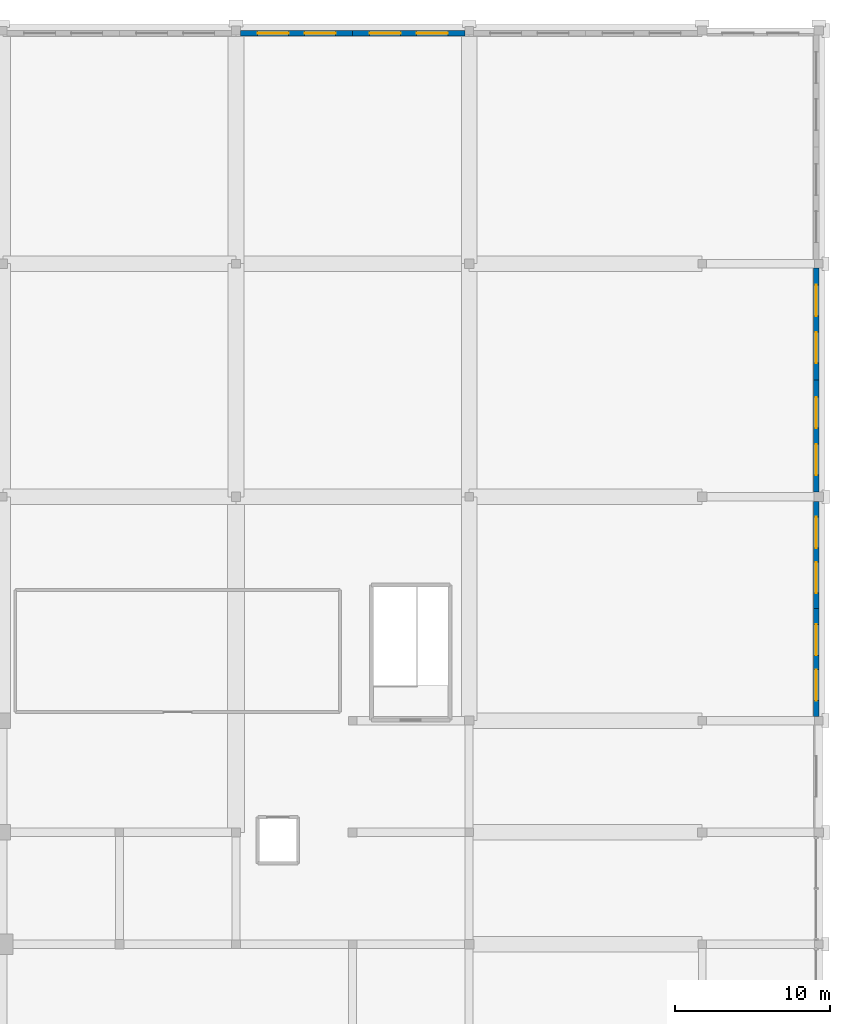
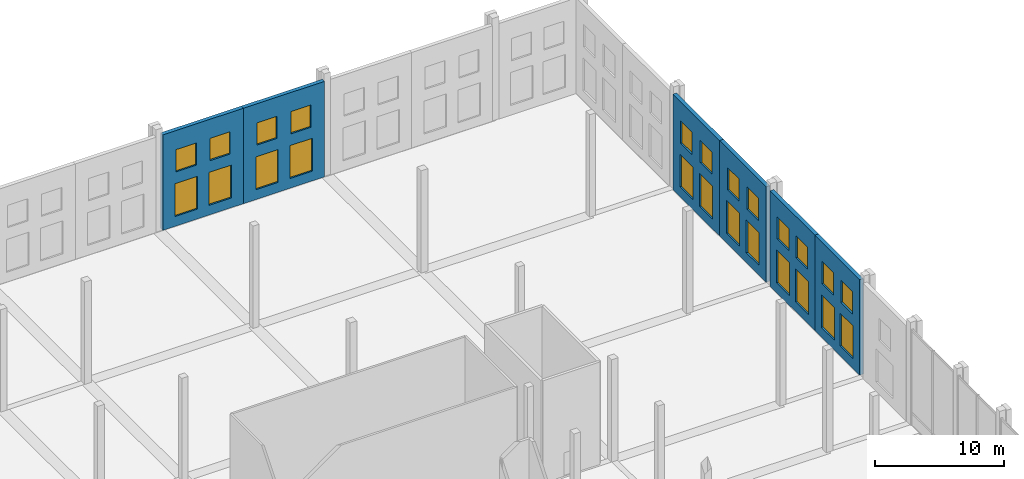
# One storey, part 72 of 80: 24 windows, 6 walls, 24 openings.
"""IFC4 building model written with IfcOpenShell, lengths in metres."""

from ifc_helpers import new_model, si_unit, direction, frame, frame_2d, origin, place, context, subcontext, project, spatial, rectangle, extrude, material, layer, layer_set, type_object, element, fill, save


model = new_model("IFC4")

# Units and contexts
model_context = context("Model", 3, precision=1e-05, world=origin(), true_north=direction((0.0, 1.0)))
body_context = subcontext(model_context, "Body", "Model", "MODEL_VIEW")
ifc_project = project(units=[si_unit("LENGTHUNIT", "METRE"), si_unit("AREAUNIT", "SQUARE_METRE"), si_unit("VOLUMEUNIT", "CUBIC_METRE"), si_unit("PLANEANGLEUNIT", "RADIAN"), si_unit("MASSUNIT", "GRAM", prefix="KILO")], contexts=[model_context])

# Site, building, storey
site_placement = place(None, origin())
site = spatial("IfcSite", under=ifc_project, at=site_placement, CompositionType="ELEMENT")
building_placement = place(site_placement, origin())
building = spatial("IfcBuilding", under=site, at=building_placement, Name="Akrevak Sports Hall", CompositionType="ELEMENT")
storey_placement = place(building_placement, frame((0.0, 0.0, 14.0)))
storey = spatial("IfcBuildingStorey", under=building, at=storey_placement, Name="L03", CompositionType="ELEMENT", Elevation=14.0)

# Wall, openings, windows
ifc_material_1 = material(Name="Limestone Ashlar", Category="stone")
ifc_layer_1 = layer(ifc_material_1, 0.070068359375, Name="Limestone Ashlar")
ifc_material_2 = material(Name="Mineral Wool Thermal Insulation", Category="insulation")
ifc_layer_2 = layer(ifc_material_2, 0.10009765625, Name="Mineral Wool Thermal Insulation")
ifc_material_3 = material(Name="Concrete C40/50", Category="concrete")
ifc_layer_3 = layer(ifc_material_3, 0.169921875, Name="Concrete C40/50")
ifc_layer_set = layer_set([ifc_layer_1, ifc_layer_2, ifc_layer_3], Name="Limestone Ashlar / Mineral Wool Thermal Insulation / Concrete C40/50")
wall_type = type_object("IfcWallType", Name="ARC-WL-EXT-340", PredefinedType="SOLIDWALL", material=ifc_layer_set)
wall_1_placement = place(storey_placement, frame((138.0, 113.830078125, 0.0), z_axis=(0.0, 0.0, 1.0), x_axis=(-1.0, 0.0, 0.0)))
wall_1 = element("IfcWall", 1, at=wall_1_placement, inside=storey, type_object=wall_type, Name="Exterior Limestone Wall L03-N18", PredefinedType="SOLIDWALL", context=body_context, shape_type="SweptSolid", body=[
    extrude(rectangle(XDim=7.199951171875, YDim=0.340087890625, at=frame_2d((3.60009765625, 0.0))), origin(), (0.0, 0.0, 1.0), 9.0),
])
opening_1_placement = place(wall_1_placement, frame((4.112060546875, 0.0, 0.919921875)))
opening_1 = element("IfcOpeningElement", 2, at=opening_1_placement, cuts=wall_1, Name="Opening WN-41", PredefinedType="OPENING", context=body_context, shape_type="SweptSolid", body=[
    extrude(rectangle(XDim=2.0, YDim=3.10009765625, at=frame_2d((1.0, 1.550048828125))), frame((0.0, 0.18212890625, 0.0), z_axis=(0.0, -1.0, 0.0), x_axis=(1.0, 0.0, 0.0)), (0.0, 0.0, 1.0), 0.364013671875),
])
opening_2_placement = place(wall_1_placement, frame((4.2119140625, 0.0, 5.10009765625)))
opening_2 = element("IfcOpeningElement", 3, at=opening_2_placement, cuts=wall_1, Name="Opening WN-37", PredefinedType="OPENING", context=body_context, shape_type="SweptSolid", body=[
    extrude(rectangle(XDim=1.800048828125, YDim=2.10009765625, at=frame_2d((0.89990234375, 1.050048828125))), frame((0.0, 0.18212890625, 0.0), z_axis=(0.0, -1.0, 0.0), x_axis=(1.0, 0.0, 0.0)), (0.0, 0.0, 1.0), 0.364013671875),
])
opening_3_placement = place(wall_1_placement, frame((1.087890625, 0.0, 0.919921875)))
opening_3 = element("IfcOpeningElement", 4, at=opening_3_placement, cuts=wall_1, Name="Opening WN-41", PredefinedType="OPENING", context=body_context, shape_type="SweptSolid", body=[
    extrude(rectangle(XDim=2.0, YDim=3.10009765625, at=frame_2d((1.0, 1.550048828125))), frame((0.0, 0.18212890625, 0.0), z_axis=(0.0, -1.0, 0.0), x_axis=(1.0, 0.0, 0.0)), (0.0, 0.0, 1.0), 0.364013671875),
])
opening_4_placement = place(wall_1_placement, frame((1.18798828125, 0.0, 5.10009765625)))
opening_4 = element("IfcOpeningElement", 5, at=opening_4_placement, cuts=wall_1, Name="Opening WN-37", PredefinedType="OPENING", context=body_context, shape_type="SweptSolid", body=[
    extrude(rectangle(XDim=1.800048828125, YDim=2.10009765625, at=frame_2d((0.89990234375, 1.050048828125))), frame((0.0, 0.18212890625, 0.0), z_axis=(0.0, -1.0, 0.0), x_axis=(1.0, 0.0, 0.0)), (0.0, 0.0, 1.0), 0.364013671875),
])
ifc_material_4 = material(Name="Thermally Broken Bronze Frame & Double Low-E Glass", Category="glass")
window_type_1 = type_object("IfcWindowType", Name="ARC-WIN-SZ-1800x2100", PartitioningType="SINGLE_PANEL", PredefinedType="WINDOW", material=ifc_material_4)
window_1_placement = place(opening_2_placement, origin())
window_1 = element("IfcWindow", 6, at=window_1_placement, inside=storey, type_object=window_type_1, Name="Beaux-Arts Attic Clerestory Window WIN-L03-N18-1U", OverallHeight=2.10009765625, OverallWidth=1.800048828125, PartitioningType="SINGLE_PANEL", PredefinedType="WINDOW", context=body_context, shape_type="SweptSolid", body=[
    extrude(rectangle(XDim=1.800048828125, YDim=2.10009765625, at=frame_2d((0.89990234375, 1.050048828125))), frame((0.0, 0.030029296875, 0.0), z_axis=(0.0, -1.0, 0.0), x_axis=(1.0, 0.0, 0.0)), (0.0, 0.0, 1.0), 0.06005859375),
])
fill(opening_2, window_1)
window_2_placement = place(opening_4_placement, origin())
window_2 = element("IfcWindow", 7, at=window_2_placement, inside=storey, type_object=window_type_1, Name="Beaux-Arts Attic Clerestory Window WIN-L03-N18-2U", OverallHeight=2.10009765625, OverallWidth=1.800048828125, PartitioningType="SINGLE_PANEL", PredefinedType="WINDOW", context=body_context, shape_type="SweptSolid", body=[
    extrude(rectangle(XDim=1.800048828125, YDim=2.10009765625, at=frame_2d((0.89990234375, 1.050048828125))), frame((0.0, 0.030029296875, 0.0), z_axis=(0.0, -1.0, 0.0), x_axis=(1.0, 0.0, 0.0)), (0.0, 0.0, 1.0), 0.06005859375),
])
fill(opening_4, window_2)
window_type_2 = type_object("IfcWindowType", Name="ARC-WIN-SZ-2000x3100", PartitioningType="SINGLE_PANEL", PredefinedType="WINDOW", material=ifc_material_4)
window_3_placement = place(opening_1_placement, origin())
window_3 = element("IfcWindow", 8, at=window_3_placement, inside=storey, type_object=window_type_2, Name="Beaux-Arts Facade Window WIN-L03-N18-1", OverallHeight=3.10009765625, OverallWidth=2.0, PartitioningType="SINGLE_PANEL", PredefinedType="WINDOW", context=body_context, shape_type="SweptSolid", body=[
    extrude(rectangle(XDim=2.0, YDim=3.10009765625, at=frame_2d((1.0, 1.550048828125))), frame((0.0, 0.030029296875, 0.0), z_axis=(0.0, -1.0, 0.0), x_axis=(1.0, 0.0, 0.0)), (0.0, 0.0, 1.0), 0.06005859375),
])
fill(opening_1, window_3)
window_4_placement = place(opening_3_placement, origin())
window_4 = element("IfcWindow", 9, at=window_4_placement, inside=storey, type_object=window_type_2, Name="Beaux-Arts Facade Window WIN-L03-N18-2", OverallHeight=3.10009765625, OverallWidth=2.0, PartitioningType="SINGLE_PANEL", PredefinedType="WINDOW", context=body_context, shape_type="SweptSolid", body=[
    extrude(rectangle(XDim=2.0, YDim=3.10009765625, at=frame_2d((1.0, 1.550048828125))), frame((0.0, 0.030029296875, 0.0), z_axis=(0.0, -1.0, 0.0), x_axis=(1.0, 0.0, 0.0)), (0.0, 0.0, 1.0), 0.06005859375),
])
fill(opening_3, window_4)

wall_2_placement = place(storey_placement, frame((145.22509765625, 113.830078125, 0.0), z_axis=(0.0, 0.0, 1.0), x_axis=(-1.0, 0.0, 0.0)))
wall_2 = element("IfcWall", 10, at=wall_2_placement, inside=storey, type_object=wall_type, Name="Exterior Limestone Wall L03-N19", PredefinedType="SOLIDWALL", context=body_context, shape_type="SweptSolid", body=[
    extrude(rectangle(XDim=7.22509765625, YDim=0.340087890625, at=frame_2d((3.612548828125, 0.0))), origin(), (0.0, 0.0, 1.0), 9.0),
])
opening_5_placement = place(wall_2_placement, frame((4.1298828125, 0.0, 0.919921875)))
opening_5 = element("IfcOpeningElement", 11, at=opening_5_placement, cuts=wall_2, Name="Opening WN-41", PredefinedType="OPENING", context=body_context, shape_type="SweptSolid", body=[
    extrude(rectangle(XDim=2.0, YDim=3.10009765625, at=frame_2d((1.0, 1.550048828125))), frame((0.0, 0.18212890625, 0.0), z_axis=(0.0, -1.0, 0.0), x_axis=(1.0, 0.0, 0.0)), (0.0, 0.0, 1.0), 0.364013671875),
])
opening_6_placement = place(wall_2_placement, frame((4.229736328125, 0.0, 5.10009765625)))
opening_6 = element("IfcOpeningElement", 12, at=opening_6_placement, cuts=wall_2, Name="Opening WN-37", PredefinedType="OPENING", context=body_context, shape_type="SweptSolid", body=[
    extrude(rectangle(XDim=1.800048828125, YDim=2.10009765625, at=frame_2d((0.89990234375, 1.050048828125))), frame((0.0, 0.18212890625, 0.0), z_axis=(0.0, -1.0, 0.0), x_axis=(1.0, 0.0, 0.0)), (0.0, 0.0, 1.0), 0.364013671875),
])
opening_7_placement = place(wall_2_placement, frame((1.09521484375, 0.0, 0.919921875)))
opening_7 = element("IfcOpeningElement", 13, at=opening_7_placement, cuts=wall_2, Name="Opening WN-41", PredefinedType="OPENING", context=body_context, shape_type="SweptSolid", body=[
    extrude(rectangle(XDim=2.0, YDim=3.10009765625, at=frame_2d((1.0, 1.550048828125))), frame((0.0, 0.18212890625, 0.0), z_axis=(0.0, -1.0, 0.0), x_axis=(1.0, 0.0, 0.0)), (0.0, 0.0, 1.0), 0.364013671875),
])
opening_8_placement = place(wall_2_placement, frame((1.1953125, 0.0, 5.10009765625)))
opening_8 = element("IfcOpeningElement", 14, at=opening_8_placement, cuts=wall_2, Name="Opening WN-37", PredefinedType="OPENING", context=body_context, shape_type="SweptSolid", body=[
    extrude(rectangle(XDim=1.800048828125, YDim=2.10009765625, at=frame_2d((0.89990234375, 1.050048828125))), frame((0.0, 0.18212890625, 0.0), z_axis=(0.0, -1.0, 0.0), x_axis=(1.0, 0.0, 0.0)), (0.0, 0.0, 1.0), 0.364013671875),
])
window_5_placement = place(opening_6_placement, origin())
window_5 = element("IfcWindow", 15, at=window_5_placement, inside=storey, type_object=window_type_1, Name="Beaux-Arts Attic Clerestory Window WIN-L03-N19-1U", OverallHeight=2.10009765625, OverallWidth=1.800048828125, PartitioningType="SINGLE_PANEL", PredefinedType="WINDOW", context=body_context, shape_type="SweptSolid", body=[
    extrude(rectangle(XDim=1.800048828125, YDim=2.10009765625, at=frame_2d((0.89990234375, 1.050048828125))), frame((0.0, 0.030029296875, 0.0), z_axis=(0.0, -1.0, 0.0), x_axis=(1.0, 0.0, 0.0)), (0.0, 0.0, 1.0), 0.06005859375),
])
fill(opening_6, window_5)
window_6_placement = place(opening_8_placement, origin())
window_6 = element("IfcWindow", 16, at=window_6_placement, inside=storey, type_object=window_type_1, Name="Beaux-Arts Attic Clerestory Window WIN-L03-N19-2U", OverallHeight=2.10009765625, OverallWidth=1.800048828125, PartitioningType="SINGLE_PANEL", PredefinedType="WINDOW", context=body_context, shape_type="SweptSolid", body=[
    extrude(rectangle(XDim=1.800048828125, YDim=2.10009765625, at=frame_2d((0.89990234375, 1.050048828125))), frame((0.0, 0.030029296875, 0.0), z_axis=(0.0, -1.0, 0.0), x_axis=(1.0, 0.0, 0.0)), (0.0, 0.0, 1.0), 0.06005859375),
])
fill(opening_8, window_6)
window_7_placement = place(opening_5_placement, origin())
window_7 = element("IfcWindow", 17, at=window_7_placement, inside=storey, type_object=window_type_2, Name="Beaux-Arts Facade Window WIN-L03-N19-1", OverallHeight=3.10009765625, OverallWidth=2.0, PartitioningType="SINGLE_PANEL", PredefinedType="WINDOW", context=body_context, shape_type="SweptSolid", body=[
    extrude(rectangle(XDim=2.0, YDim=3.10009765625, at=frame_2d((1.0, 1.550048828125))), frame((0.0, 0.030029296875, 0.0), z_axis=(0.0, -1.0, 0.0), x_axis=(1.0, 0.0, 0.0)), (0.0, 0.0, 1.0), 0.06005859375),
])
fill(opening_5, window_7)
window_8_placement = place(opening_7_placement, origin())
window_8 = element("IfcWindow", 18, at=window_8_placement, inside=storey, type_object=window_type_2, Name="Beaux-Arts Facade Window WIN-L03-N19-2", OverallHeight=3.10009765625, OverallWidth=2.0, PartitioningType="SINGLE_PANEL", PredefinedType="WINDOW", context=body_context, shape_type="SweptSolid", body=[
    extrude(rectangle(XDim=2.0, YDim=3.10009765625, at=frame_2d((1.0, 1.550048828125))), frame((0.0, 0.030029296875, 0.0), z_axis=(0.0, -1.0, 0.0), x_axis=(1.0, 0.0, 0.0)), (0.0, 0.0, 1.0), 0.06005859375),
])
fill(opening_7, window_8)

wall_3_placement = place(storey_placement, frame((167.830078125, 69.875, 0.0), z_axis=(0.0, 0.0, 1.0), x_axis=(0.0, 1.0, 0.0)))
wall_3 = element("IfcWall", 19, at=wall_3_placement, inside=storey, type_object=wall_type, Name="Exterior Limestone Wall L03-E11", PredefinedType="SOLIDWALL", context=body_context, shape_type="SweptSolid", body=[
    extrude(rectangle(XDim=6.925048828125, YDim=0.340087890625, at=frame_2d((3.46240234375, 0.0))), origin(), (0.0, 0.0, 1.0), 9.0),
])
opening_9_placement = place(wall_3_placement, frame((1.00830078125, 0.0, 0.919921875)))
opening_9 = element("IfcOpeningElement", 20, at=opening_9_placement, cuts=wall_3, Name="Opening WN-41", PredefinedType="OPENING", context=body_context, shape_type="SweptSolid", body=[
    extrude(rectangle(XDim=2.0, YDim=3.10009765625, at=frame_2d((1.0, 1.550048828125))), frame((0.0, 0.18212890625, 0.0), z_axis=(0.0, -1.0, 0.0), x_axis=(1.0, 0.0, 0.0)), (0.0, 0.0, 1.0), 0.364013671875),
])
opening_10_placement = place(wall_3_placement, frame((1.1083984375, 0.0, 5.10009765625)))
opening_10 = element("IfcOpeningElement", 21, at=opening_10_placement, cuts=wall_3, Name="Opening WN-37", PredefinedType="OPENING", context=body_context, shape_type="SweptSolid", body=[
    extrude(rectangle(XDim=1.800048828125, YDim=2.10009765625, at=frame_2d((0.89990234375, 1.050048828125))), frame((0.0, 0.18212890625, 0.0), z_axis=(0.0, -1.0, 0.0), x_axis=(1.0, 0.0, 0.0)), (0.0, 0.0, 1.0), 0.364013671875),
])
opening_11_placement = place(wall_3_placement, frame((3.916748046875, 0.0, 0.919921875)))
opening_11 = element("IfcOpeningElement", 22, at=opening_11_placement, cuts=wall_3, Name="Opening WN-41", PredefinedType="OPENING", context=body_context, shape_type="SweptSolid", body=[
    extrude(rectangle(XDim=2.0, YDim=3.10009765625, at=frame_2d((1.0, 1.550048828125))), frame((0.0, 0.18212890625, 0.0), z_axis=(0.0, -1.0, 0.0), x_axis=(1.0, 0.0, 0.0)), (0.0, 0.0, 1.0), 0.364013671875),
])
opening_12_placement = place(wall_3_placement, frame((4.0166015625, 0.0, 5.10009765625)))
opening_12 = element("IfcOpeningElement", 23, at=opening_12_placement, cuts=wall_3, Name="Opening WN-37", PredefinedType="OPENING", context=body_context, shape_type="SweptSolid", body=[
    extrude(rectangle(XDim=1.800048828125, YDim=2.10009765625, at=frame_2d((0.89990234375, 1.050048828125))), frame((0.0, 0.18212890625, 0.0), z_axis=(0.0, -1.0, 0.0), x_axis=(1.0, 0.0, 0.0)), (0.0, 0.0, 1.0), 0.364013671875),
])
window_9_placement = place(opening_10_placement, origin())
window_9 = element("IfcWindow", 24, at=window_9_placement, inside=storey, type_object=window_type_1, Name="Beaux-Arts Attic Clerestory Window WIN-L03-E11-1U", OverallHeight=2.10009765625, OverallWidth=1.800048828125, PartitioningType="SINGLE_PANEL", PredefinedType="WINDOW", context=body_context, shape_type="SweptSolid", body=[
    extrude(rectangle(XDim=1.800048828125, YDim=2.10009765625, at=frame_2d((0.89990234375, 1.050048828125))), frame((0.0, 0.030029296875, 0.0), z_axis=(0.0, -1.0, 0.0), x_axis=(1.0, 0.0, 0.0)), (0.0, 0.0, 1.0), 0.06005859375),
])
fill(opening_10, window_9)
window_10_placement = place(opening_12_placement, origin())
window_10 = element("IfcWindow", 25, at=window_10_placement, inside=storey, type_object=window_type_1, Name="Beaux-Arts Attic Clerestory Window WIN-L03-E11-2U", OverallHeight=2.10009765625, OverallWidth=1.800048828125, PartitioningType="SINGLE_PANEL", PredefinedType="WINDOW", context=body_context, shape_type="SweptSolid", body=[
    extrude(rectangle(XDim=1.800048828125, YDim=2.10009765625, at=frame_2d((0.89990234375, 1.050048828125))), frame((0.0, 0.030029296875, 0.0), z_axis=(0.0, -1.0, 0.0), x_axis=(1.0, 0.0, 0.0)), (0.0, 0.0, 1.0), 0.06005859375),
])
fill(opening_12, window_10)
window_11_placement = place(opening_9_placement, origin())
window_11 = element("IfcWindow", 26, at=window_11_placement, inside=storey, type_object=window_type_2, Name="Beaux-Arts Facade Window WIN-L03-E11-1", OverallHeight=3.10009765625, OverallWidth=2.0, PartitioningType="SINGLE_PANEL", PredefinedType="WINDOW", context=body_context, shape_type="SweptSolid", body=[
    extrude(rectangle(XDim=2.0, YDim=3.10009765625, at=frame_2d((1.0, 1.550048828125))), frame((0.0, 0.030029296875, 0.0), z_axis=(0.0, -1.0, 0.0), x_axis=(1.0, 0.0, 0.0)), (0.0, 0.0, 1.0), 0.06005859375),
])
fill(opening_9, window_11)
window_12_placement = place(opening_11_placement, origin())
window_12 = element("IfcWindow", 27, at=window_12_placement, inside=storey, type_object=window_type_2, Name="Beaux-Arts Facade Window WIN-L03-E11-2", OverallHeight=3.10009765625, OverallWidth=2.0, PartitioningType="SINGLE_PANEL", PredefinedType="WINDOW", context=body_context, shape_type="SweptSolid", body=[
    extrude(rectangle(XDim=2.0, YDim=3.10009765625, at=frame_2d((1.0, 1.550048828125))), frame((0.0, 0.030029296875, 0.0), z_axis=(0.0, -1.0, 0.0), x_axis=(1.0, 0.0, 0.0)), (0.0, 0.0, 1.0), 0.06005859375),
])
fill(opening_11, window_12)

wall_4_placement = place(storey_placement, frame((167.830078125, 76.800048828125, 0.0), z_axis=(0.0, 0.0, 1.0), x_axis=(0.0, 1.0, 0.0)))
wall_4 = element("IfcWall", 28, at=wall_4_placement, inside=storey, type_object=wall_type, Name="Exterior Limestone Wall L03-E12", PredefinedType="SOLIDWALL", context=body_context, shape_type="SweptSolid", body=[
    extrude(rectangle(XDim=6.89990234375, YDim=0.340087890625, at=frame_2d((3.449951171875, 0.0))), origin(), (0.0, 0.0, 1.0), 9.0),
])
opening_13_placement = place(wall_4_placement, frame((1.0009765625, 0.0, 0.919921875)))
opening_13 = element("IfcOpeningElement", 29, at=opening_13_placement, cuts=wall_4, Name="Opening WN-41", PredefinedType="OPENING", context=body_context, shape_type="SweptSolid", body=[
    extrude(rectangle(XDim=2.0, YDim=3.10009765625, at=frame_2d((1.0, 1.550048828125))), frame((0.0, 0.18212890625, 0.0), z_axis=(0.0, -1.0, 0.0), x_axis=(1.0, 0.0, 0.0)), (0.0, 0.0, 1.0), 0.364013671875),
])
opening_14_placement = place(wall_4_placement, frame((1.10107421875, 0.0, 5.10009765625)))
opening_14 = element("IfcOpeningElement", 30, at=opening_14_placement, cuts=wall_4, Name="Opening WN-37", PredefinedType="OPENING", context=body_context, shape_type="SweptSolid", body=[
    extrude(rectangle(XDim=1.800048828125, YDim=2.10009765625, at=frame_2d((0.89990234375, 1.050048828125))), frame((0.0, 0.18212890625, 0.0), z_axis=(0.0, -1.0, 0.0), x_axis=(1.0, 0.0, 0.0)), (0.0, 0.0, 1.0), 0.364013671875),
])
opening_15_placement = place(wall_4_placement, frame((3.89892578125, 0.0, 0.919921875)))
opening_15 = element("IfcOpeningElement", 31, at=opening_15_placement, cuts=wall_4, Name="Opening WN-41", PredefinedType="OPENING", context=body_context, shape_type="SweptSolid", body=[
    extrude(rectangle(XDim=2.0, YDim=3.10009765625, at=frame_2d((1.0, 1.550048828125))), frame((0.0, 0.18212890625, 0.0), z_axis=(0.0, -1.0, 0.0), x_axis=(1.0, 0.0, 0.0)), (0.0, 0.0, 1.0), 0.364013671875),
])
opening_16_placement = place(wall_4_placement, frame((3.9990234375, 0.0, 5.10009765625)))
opening_16 = element("IfcOpeningElement", 32, at=opening_16_placement, cuts=wall_4, Name="Opening WN-37", PredefinedType="OPENING", context=body_context, shape_type="SweptSolid", body=[
    extrude(rectangle(XDim=1.800048828125, YDim=2.10009765625, at=frame_2d((0.89990234375, 1.050048828125))), frame((0.0, 0.18212890625, 0.0), z_axis=(0.0, -1.0, 0.0), x_axis=(1.0, 0.0, 0.0)), (0.0, 0.0, 1.0), 0.364013671875),
])
window_13_placement = place(opening_14_placement, origin())
window_13 = element("IfcWindow", 33, at=window_13_placement, inside=storey, type_object=window_type_1, Name="Beaux-Arts Attic Clerestory Window WIN-L03-E12-1U", OverallHeight=2.10009765625, OverallWidth=1.800048828125, PartitioningType="SINGLE_PANEL", PredefinedType="WINDOW", context=body_context, shape_type="SweptSolid", body=[
    extrude(rectangle(XDim=1.800048828125, YDim=2.10009765625, at=frame_2d((0.89990234375, 1.050048828125))), frame((0.0, 0.030029296875, 0.0), z_axis=(0.0, -1.0, 0.0), x_axis=(1.0, 0.0, 0.0)), (0.0, 0.0, 1.0), 0.06005859375),
])
fill(opening_14, window_13)
window_14_placement = place(opening_16_placement, origin())
window_14 = element("IfcWindow", 34, at=window_14_placement, inside=storey, type_object=window_type_1, Name="Beaux-Arts Attic Clerestory Window WIN-L03-E12-2U", OverallHeight=2.10009765625, OverallWidth=1.800048828125, PartitioningType="SINGLE_PANEL", PredefinedType="WINDOW", context=body_context, shape_type="SweptSolid", body=[
    extrude(rectangle(XDim=1.800048828125, YDim=2.10009765625, at=frame_2d((0.89990234375, 1.050048828125))), frame((0.0, 0.030029296875, 0.0), z_axis=(0.0, -1.0, 0.0), x_axis=(1.0, 0.0, 0.0)), (0.0, 0.0, 1.0), 0.06005859375),
])
fill(opening_16, window_14)
window_15_placement = place(opening_13_placement, origin())
window_15 = element("IfcWindow", 35, at=window_15_placement, inside=storey, type_object=window_type_2, Name="Beaux-Arts Facade Window WIN-L03-E12-1", OverallHeight=3.10009765625, OverallWidth=2.0, PartitioningType="SINGLE_PANEL", PredefinedType="WINDOW", context=body_context, shape_type="SweptSolid", body=[
    extrude(rectangle(XDim=2.0, YDim=3.10009765625, at=frame_2d((1.0, 1.550048828125))), frame((0.0, 0.030029296875, 0.0), z_axis=(0.0, -1.0, 0.0), x_axis=(1.0, 0.0, 0.0)), (0.0, 0.0, 1.0), 0.06005859375),
])
fill(opening_13, window_15)
window_16_placement = place(opening_15_placement, origin())
window_16 = element("IfcWindow", 36, at=window_16_placement, inside=storey, type_object=window_type_2, Name="Beaux-Arts Facade Window WIN-L03-E12-2", OverallHeight=3.10009765625, OverallWidth=2.0, PartitioningType="SINGLE_PANEL", PredefinedType="WINDOW", context=body_context, shape_type="SweptSolid", body=[
    extrude(rectangle(XDim=2.0, YDim=3.10009765625, at=frame_2d((1.0, 1.550048828125))), frame((0.0, 0.030029296875, 0.0), z_axis=(0.0, -1.0, 0.0), x_axis=(1.0, 0.0, 0.0)), (0.0, 0.0, 1.0), 0.06005859375),
])
fill(opening_15, window_16)

wall_5_placement = place(storey_placement, frame((167.830078125, 84.300048828125, 0.0), z_axis=(0.0, 0.0, 1.0), x_axis=(0.0, 1.0, 0.0)))
wall_5 = element("IfcWall", 37, at=wall_5_placement, inside=storey, type_object=wall_type, Name="Exterior Limestone Wall L03-E13", PredefinedType="SOLIDWALL", context=body_context, shape_type="SweptSolid", body=[
    extrude(rectangle(XDim=7.199951171875, YDim=0.340087890625, at=frame_2d((3.60009765625, 0.0))), origin(), (0.0, 0.0, 1.0), 9.0),
])
opening_17_placement = place(wall_5_placement, frame((1.087890625, 0.0, 0.919921875)))
opening_17 = element("IfcOpeningElement", 38, at=opening_17_placement, cuts=wall_5, Name="Opening WN-41", PredefinedType="OPENING", context=body_context, shape_type="SweptSolid", body=[
    extrude(rectangle(XDim=2.0, YDim=3.10009765625, at=frame_2d((1.0, 1.550048828125))), frame((0.0, 0.18212890625, 0.0), z_axis=(0.0, -1.0, 0.0), x_axis=(1.0, 0.0, 0.0)), (0.0, 0.0, 1.0), 0.364013671875),
])
opening_18_placement = place(wall_5_placement, frame((1.18798828125, 0.0, 5.10009765625)))
opening_18 = element("IfcOpeningElement", 39, at=opening_18_placement, cuts=wall_5, Name="Opening WN-37", PredefinedType="OPENING", context=body_context, shape_type="SweptSolid", body=[
    extrude(rectangle(XDim=1.800048828125, YDim=2.10009765625, at=frame_2d((0.89990234375, 1.050048828125))), frame((0.0, 0.18212890625, 0.0), z_axis=(0.0, -1.0, 0.0), x_axis=(1.0, 0.0, 0.0)), (0.0, 0.0, 1.0), 0.364013671875),
])
opening_19_placement = place(wall_5_placement, frame((4.112060546875, 0.0, 0.919921875)))
opening_19 = element("IfcOpeningElement", 40, at=opening_19_placement, cuts=wall_5, Name="Opening WN-41", PredefinedType="OPENING", context=body_context, shape_type="SweptSolid", body=[
    extrude(rectangle(XDim=2.0, YDim=3.10009765625, at=frame_2d((1.0, 1.550048828125))), frame((0.0, 0.18212890625, 0.0), z_axis=(0.0, -1.0, 0.0), x_axis=(1.0, 0.0, 0.0)), (0.0, 0.0, 1.0), 0.364013671875),
])
opening_20_placement = place(wall_5_placement, frame((4.2119140625, 0.0, 5.10009765625)))
opening_20 = element("IfcOpeningElement", 41, at=opening_20_placement, cuts=wall_5, Name="Opening WN-37", PredefinedType="OPENING", context=body_context, shape_type="SweptSolid", body=[
    extrude(rectangle(XDim=1.800048828125, YDim=2.10009765625, at=frame_2d((0.89990234375, 1.050048828125))), frame((0.0, 0.18212890625, 0.0), z_axis=(0.0, -1.0, 0.0), x_axis=(1.0, 0.0, 0.0)), (0.0, 0.0, 1.0), 0.364013671875),
])
window_17_placement = place(opening_18_placement, origin())
window_17 = element("IfcWindow", 42, at=window_17_placement, inside=storey, type_object=window_type_1, Name="Beaux-Arts Attic Clerestory Window WIN-L03-E13-1U", OverallHeight=2.10009765625, OverallWidth=1.800048828125, PartitioningType="SINGLE_PANEL", PredefinedType="WINDOW", context=body_context, shape_type="SweptSolid", body=[
    extrude(rectangle(XDim=1.800048828125, YDim=2.10009765625, at=frame_2d((0.89990234375, 1.050048828125))), frame((0.0, 0.030029296875, 0.0), z_axis=(0.0, -1.0, 0.0), x_axis=(1.0, 0.0, 0.0)), (0.0, 0.0, 1.0), 0.06005859375),
])
fill(opening_18, window_17)
window_18_placement = place(opening_20_placement, origin())
window_18 = element("IfcWindow", 43, at=window_18_placement, inside=storey, type_object=window_type_1, Name="Beaux-Arts Attic Clerestory Window WIN-L03-E13-2U", OverallHeight=2.10009765625, OverallWidth=1.800048828125, PartitioningType="SINGLE_PANEL", PredefinedType="WINDOW", context=body_context, shape_type="SweptSolid", body=[
    extrude(rectangle(XDim=1.800048828125, YDim=2.10009765625, at=frame_2d((0.89990234375, 1.050048828125))), frame((0.0, 0.030029296875, 0.0), z_axis=(0.0, -1.0, 0.0), x_axis=(1.0, 0.0, 0.0)), (0.0, 0.0, 1.0), 0.06005859375),
])
fill(opening_20, window_18)
window_19_placement = place(opening_17_placement, origin())
window_19 = element("IfcWindow", 44, at=window_19_placement, inside=storey, type_object=window_type_2, Name="Beaux-Arts Facade Window WIN-L03-E13-1", OverallHeight=3.10009765625, OverallWidth=2.0, PartitioningType="SINGLE_PANEL", PredefinedType="WINDOW", context=body_context, shape_type="SweptSolid", body=[
    extrude(rectangle(XDim=2.0, YDim=3.10009765625, at=frame_2d((1.0, 1.550048828125))), frame((0.0, 0.030029296875, 0.0), z_axis=(0.0, -1.0, 0.0), x_axis=(1.0, 0.0, 0.0)), (0.0, 0.0, 1.0), 0.06005859375),
])
fill(opening_17, window_19)
window_20_placement = place(opening_19_placement, origin())
window_20 = element("IfcWindow", 45, at=window_20_placement, inside=storey, type_object=window_type_2, Name="Beaux-Arts Facade Window WIN-L03-E13-2", OverallHeight=3.10009765625, OverallWidth=2.0, PartitioningType="SINGLE_PANEL", PredefinedType="WINDOW", context=body_context, shape_type="SweptSolid", body=[
    extrude(rectangle(XDim=2.0, YDim=3.10009765625, at=frame_2d((1.0, 1.550048828125))), frame((0.0, 0.030029296875, 0.0), z_axis=(0.0, -1.0, 0.0), x_axis=(1.0, 0.0, 0.0)), (0.0, 0.0, 1.0), 0.06005859375),
])
fill(opening_19, window_20)

wall_6_placement = place(storey_placement, frame((167.830078125, 91.5, 0.0), z_axis=(0.0, 0.0, 1.0), x_axis=(0.0, 1.0, 0.0)))
wall_6 = element("IfcWall", 46, at=wall_6_placement, inside=storey, type_object=wall_type, Name="Exterior Limestone Wall L03-E14", PredefinedType="SOLIDWALL", context=body_context, shape_type="SweptSolid", body=[
    extrude(rectangle(XDim=7.22509765625, YDim=0.340087890625, at=frame_2d((3.612548828125, 0.0))), origin(), (0.0, 0.0, 1.0), 9.0),
])
opening_21_placement = place(wall_6_placement, frame((1.09521484375, 0.0, 0.919921875)))
opening_21 = element("IfcOpeningElement", 47, at=opening_21_placement, cuts=wall_6, Name="Opening WN-41", PredefinedType="OPENING", context=body_context, shape_type="SweptSolid", body=[
    extrude(rectangle(XDim=2.0, YDim=3.10009765625, at=frame_2d((1.0, 1.550048828125))), frame((0.0, 0.18212890625, 0.0), z_axis=(0.0, -1.0, 0.0), x_axis=(1.0, 0.0, 0.0)), (0.0, 0.0, 1.0), 0.364013671875),
])
opening_22_placement = place(wall_6_placement, frame((1.1953125, 0.0, 5.10009765625)))
opening_22 = element("IfcOpeningElement", 48, at=opening_22_placement, cuts=wall_6, Name="Opening WN-37", PredefinedType="OPENING", context=body_context, shape_type="SweptSolid", body=[
    extrude(rectangle(XDim=1.800048828125, YDim=2.10009765625, at=frame_2d((0.89990234375, 1.050048828125))), frame((0.0, 0.18212890625, 0.0), z_axis=(0.0, -1.0, 0.0), x_axis=(1.0, 0.0, 0.0)), (0.0, 0.0, 1.0), 0.364013671875),
])
opening_23_placement = place(wall_6_placement, frame((4.1298828125, 0.0, 0.919921875)))
opening_23 = element("IfcOpeningElement", 49, at=opening_23_placement, cuts=wall_6, Name="Opening WN-41", PredefinedType="OPENING", context=body_context, shape_type="SweptSolid", body=[
    extrude(rectangle(XDim=2.0, YDim=3.10009765625, at=frame_2d((1.0, 1.550048828125))), frame((0.0, 0.18212890625, 0.0), z_axis=(0.0, -1.0, 0.0), x_axis=(1.0, 0.0, 0.0)), (0.0, 0.0, 1.0), 0.364013671875),
])
opening_24_placement = place(wall_6_placement, frame((4.229736328125, 0.0, 5.10009765625)))
opening_24 = element("IfcOpeningElement", 50, at=opening_24_placement, cuts=wall_6, Name="Opening WN-37", PredefinedType="OPENING", context=body_context, shape_type="SweptSolid", body=[
    extrude(rectangle(XDim=1.800048828125, YDim=2.10009765625, at=frame_2d((0.89990234375, 1.050048828125))), frame((0.0, 0.18212890625, 0.0), z_axis=(0.0, -1.0, 0.0), x_axis=(1.0, 0.0, 0.0)), (0.0, 0.0, 1.0), 0.364013671875),
])
window_21_placement = place(opening_22_placement, origin())
window_21 = element("IfcWindow", 51, at=window_21_placement, inside=storey, type_object=window_type_1, Name="Beaux-Arts Attic Clerestory Window WIN-L03-E14-1U", OverallHeight=2.10009765625, OverallWidth=1.800048828125, PartitioningType="SINGLE_PANEL", PredefinedType="WINDOW", context=body_context, shape_type="SweptSolid", body=[
    extrude(rectangle(XDim=1.800048828125, YDim=2.10009765625, at=frame_2d((0.89990234375, 1.050048828125))), frame((0.0, 0.030029296875, 0.0), z_axis=(0.0, -1.0, 0.0), x_axis=(1.0, 0.0, 0.0)), (0.0, 0.0, 1.0), 0.06005859375),
])
fill(opening_22, window_21)
window_22_placement = place(opening_24_placement, origin())
window_22 = element("IfcWindow", 52, at=window_22_placement, inside=storey, type_object=window_type_1, Name="Beaux-Arts Attic Clerestory Window WIN-L03-E14-2U", OverallHeight=2.10009765625, OverallWidth=1.800048828125, PartitioningType="SINGLE_PANEL", PredefinedType="WINDOW", context=body_context, shape_type="SweptSolid", body=[
    extrude(rectangle(XDim=1.800048828125, YDim=2.10009765625, at=frame_2d((0.89990234375, 1.050048828125))), frame((0.0, 0.030029296875, 0.0), z_axis=(0.0, -1.0, 0.0), x_axis=(1.0, 0.0, 0.0)), (0.0, 0.0, 1.0), 0.06005859375),
])
fill(opening_24, window_22)
window_23_placement = place(opening_21_placement, origin())
window_23 = element("IfcWindow", 53, at=window_23_placement, inside=storey, type_object=window_type_2, Name="Beaux-Arts Facade Window WIN-L03-E14-1", OverallHeight=3.10009765625, OverallWidth=2.0, PartitioningType="SINGLE_PANEL", PredefinedType="WINDOW", context=body_context, shape_type="SweptSolid", body=[
    extrude(rectangle(XDim=2.0, YDim=3.10009765625, at=frame_2d((1.0, 1.550048828125))), frame((0.0, 0.030029296875, 0.0), z_axis=(0.0, -1.0, 0.0), x_axis=(1.0, 0.0, 0.0)), (0.0, 0.0, 1.0), 0.06005859375),
])
fill(opening_21, window_23)
window_24_placement = place(opening_23_placement, origin())
window_24 = element("IfcWindow", 54, at=window_24_placement, inside=storey, type_object=window_type_2, Name="Beaux-Arts Facade Window WIN-L03-E14-2", OverallHeight=3.10009765625, OverallWidth=2.0, PartitioningType="SINGLE_PANEL", PredefinedType="WINDOW", context=body_context, shape_type="SweptSolid", body=[
    extrude(rectangle(XDim=2.0, YDim=3.10009765625, at=frame_2d((1.0, 1.550048828125))), frame((0.0, 0.030029296875, 0.0), z_axis=(0.0, -1.0, 0.0), x_axis=(1.0, 0.0, 0.0)), (0.0, 0.0, 1.0), 0.06005859375),
])
fill(opening_23, window_24)

save(model, "model.ifc")
